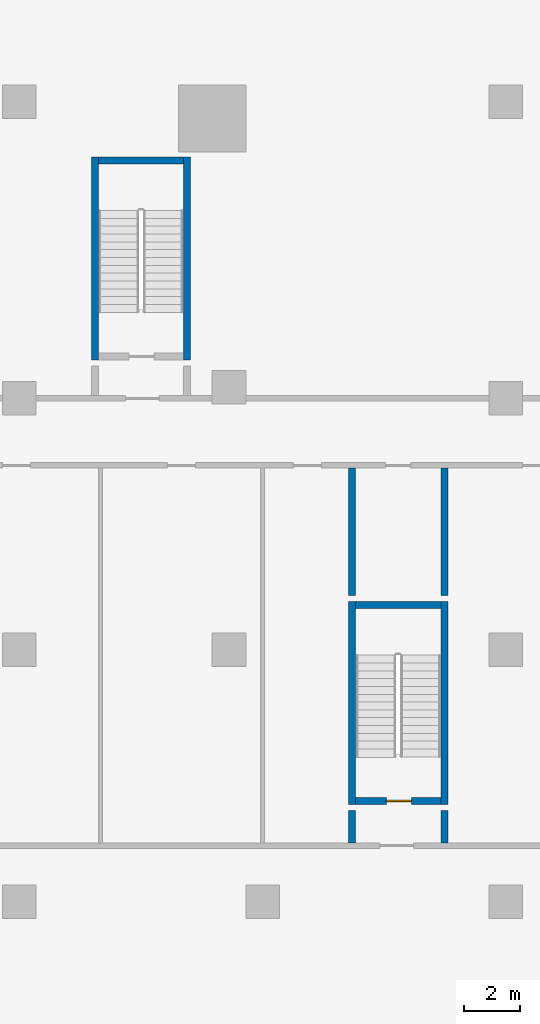
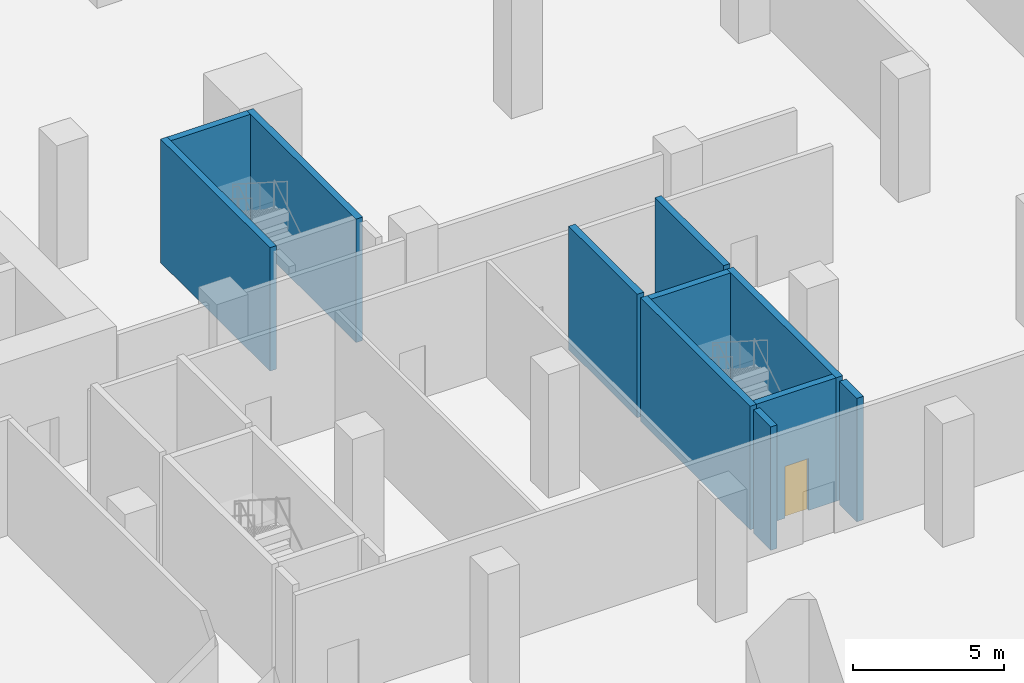
# One storey, part 5 of 8: 11 walls, 1 door, 1 opening.
"""IFC4 building model written with IfcOpenShell, lengths in metres."""

from ifc_helpers import new_model, si_unit, direction, frame, frame_2d, origin, place, context, subcontext, project, spatial, rectangle, extrude, material, layer, layer_set, type_object, element, fill, save


model = new_model("IFC4")

# Units and contexts
model_context = context("Model", 3, precision=1e-05, world=origin(), true_north=direction((0.0, 1.0)))
body_context = subcontext(model_context, "Body", "Model", "MODEL_VIEW")
ifc_project = project(units=[si_unit("LENGTHUNIT", "METRE"), si_unit("AREAUNIT", "SQUARE_METRE"), si_unit("VOLUMEUNIT", "CUBIC_METRE"), si_unit("PLANEANGLEUNIT", "RADIAN"), si_unit("MASSUNIT", "GRAM", prefix="KILO")], contexts=[model_context])

# Site, building, storey
site_placement = place(None, origin())
site = spatial("IfcSite", under=ifc_project, at=site_placement, CompositionType="ELEMENT")
building_placement = place(site_placement, origin())
building = spatial("IfcBuilding", under=site, at=building_placement, Name="Bicima Exchange Tower", CompositionType="ELEMENT")
storey_placement = place(building_placement, frame((0.0, 0.0, -10.0)))
storey = spatial("IfcBuildingStorey", under=building, at=storey_placement, Name="B2", CompositionType="ELEMENT", Elevation=-10.0)

# Walls
ifc_material_1 = material(Name="Concrete C50/60", Category="concrete")
ifc_layer_1 = layer(ifc_material_1, 0.25)
ifc_layer_set_1 = layer_set([ifc_layer_1], Name="Concrete C50/60")
wall_type_1 = type_object("IfcWallType", Name="RC core wall 250 C50/60", PredefinedType="SHEAR", material=ifc_layer_set_1)
wall_1_placement = place(storey_placement, frame((38.0, -28.89990234375, 0.0), z_axis=(0.0, 0.0, 1.0), x_axis=(0.0, 1.0, 0.0)))
element("IfcWall", 1, at=wall_1_placement, inside=storey, type_object=wall_type_1, Name="stair wall 42", PredefinedType="SHEAR", context=body_context, shape_type="SweptSolid", body=[
    extrude(rectangle(XDim=1.14990234375, YDim=0.25, at=frame_2d((0.574951171875, 0.0))), origin(), (0.0, 0.0, 1.0), 5.0),
])
wall_2_placement = place(storey_placement, frame((38.0, -20.050048828125, 0.0), z_axis=(0.0, 0.0, 1.0), x_axis=(0.0, 1.0, 0.0)))
element("IfcWall", 2, at=wall_2_placement, inside=storey, type_object=wall_type_1, Name="stair wall 42", PredefinedType="SHEAR", context=body_context, shape_type="SweptSolid", body=[
    extrude(rectangle(XDim=4.550048828125, YDim=0.25, at=frame_2d((2.27490234375, 0.0))), origin(), (0.0, 0.0, 1.0), 5.0),
])
wall_3_placement = place(storey_placement, frame((41.300048828125, -28.89990234375, 0.0), z_axis=(0.0, 0.0, 1.0), x_axis=(0.0, 1.0, 0.0)))
element("IfcWall", 3, at=wall_3_placement, inside=storey, type_object=wall_type_1, Name="stair wall 43", PredefinedType="SHEAR", context=body_context, shape_type="SweptSolid", body=[
    extrude(rectangle(XDim=1.14990234375, YDim=0.25, at=frame_2d((0.574951171875, 0.0))), origin(), (0.0, 0.0, 1.0), 5.0),
])
wall_4_placement = place(storey_placement, frame((41.300048828125, -20.050048828125, 0.0), z_axis=(0.0, 0.0, 1.0), x_axis=(0.0, 1.0, 0.0)))
element("IfcWall", 4, at=wall_4_placement, inside=storey, type_object=wall_type_1, Name="stair wall 43", PredefinedType="SHEAR", context=body_context, shape_type="SweptSolid", body=[
    extrude(rectangle(XDim=4.550048828125, YDim=0.25, at=frame_2d((2.27490234375, 0.0))), origin(), (0.0, 0.0, 1.0), 5.0),
])
ifc_layer_2 = layer(ifc_material_1, 0.25)
ifc_layer_set_2 = layer_set([ifc_layer_2], Name="Concrete C50/60")
wall_type_2 = type_object("IfcWallType", Name="RC stair enclosure wall 250 C50/60", PredefinedType="SHEAR", material=ifc_layer_set_2)
for number, where, z_axis, x_axis, name in (
    (5, (28.800048828125, -11.625, 0.0), (0.0, 0.0, 1.0), (0.0, 1.0, 0.0), "East end exit stair wall W"),
    (6, (32.10009765625, -11.625, 0.0), (0.0, 0.0, 1.0), (0.0, 1.0, 0.0), "East end exit stair wall E"),
):
    element("IfcWall", number, at=place(storey_placement, frame(where, z_axis=z_axis, x_axis=x_axis)), inside=storey, type_object=wall_type_2, Name=name, PredefinedType="SHEAR", context=body_context, shape_type="SweptSolid", body=[
        extrude(rectangle(XDim=7.25, YDim=0.25, at=frame_2d((3.625, 0.0))), origin(), (0.0, 0.0, 1.0), 5.0),
    ])
wall_5_placement = place(storey_placement, frame((28.925048828125, -4.5, 0.0), z_axis=(0.0, 0.0, 1.0), x_axis=(1.0, 0.0, 0.0)))
element("IfcWall", 7, at=wall_5_placement, inside=storey, type_object=wall_type_2, Name="East end exit stair wall N", PredefinedType="SHEAR", context=body_context, shape_type="SweptSolid", body=[
    extrude(rectangle(XDim=3.050048828125, YDim=0.25, at=frame_2d((1.52490234375, 0.0))), origin(), (0.0, 0.0, 1.0), 5.0),
])
for number, where, z_axis, x_axis, name in (
    (8, (38.0, -27.52490234375, 0.0), (0.0, 0.0, 1.0), (0.0, 1.0, 0.0), "Podium east stair wall W"),
    (9, (41.300048828125, -27.52490234375, 0.0), (0.0, 0.0, 1.0), (0.0, 1.0, 0.0), "Podium east stair wall E"),
):
    element("IfcWall", number, at=place(storey_placement, frame(where, z_axis=z_axis, x_axis=x_axis)), inside=storey, type_object=wall_type_2, Name=name, PredefinedType="SHEAR", context=body_context, shape_type="SweptSolid", body=[
        extrude(rectangle(XDim=7.25, YDim=0.25, at=frame_2d((3.625, 0.0))), origin(), (0.0, 0.0, 1.0), 5.0),
    ])

# Wall, opening, door
wall_6_placement = place(storey_placement, frame((38.125, -27.39990234375, 0.0), z_axis=(0.0, 0.0, 1.0), x_axis=(1.0, 0.0, 0.0)))
wall_6 = element("IfcWall", 10, at=wall_6_placement, inside=storey, type_object=wall_type_2, Name="Podium east stair wall S", PredefinedType="SHEAR", context=body_context, shape_type="SweptSolid", body=[
    extrude(rectangle(XDim=3.050048828125, YDim=0.25, at=frame_2d((1.52490234375, 0.0))), origin(), (0.0, 0.0, 1.0), 5.0),
])
opening_placement = place(wall_6_placement, frame((1.10009765625, 0.0, 0.0)))
opening = element("IfcOpeningElement", 11, at=opening_placement, cuts=wall_6, Name="Opening B2-008", PredefinedType="OPENING", context=body_context, shape_type="SweptSolid", body=[
    extrude(rectangle(XDim=0.89990234375, YDim=2.10009765625, at=frame_2d((0.449951171875, 1.050048828125))), frame((0.0, 0.136962890625, 0.0), z_axis=(0.0, -1.0, 0.0), x_axis=(1.0, 0.0, 0.0)), (0.0, 0.0, 1.0), 0.27392578125),
])
ifc_material_2 = material(Name="Steel fire door leaf", Category="steel")
door_type = type_object("IfcDoorType", Name="Door 900 swing FD60S", OperationType="SINGLE_SWING_LEFT", PredefinedType="DOOR", material=ifc_material_2)
door_placement = place(opening_placement, origin())
door = element("IfcDoor", 12, at=door_placement, inside=storey, type_object=door_type, Name="Door", OperationType="SINGLE_SWING_LEFT", OverallHeight=2.10009765625, OverallWidth=0.89990234375, PredefinedType="DOOR", context=body_context, shape_type="SweptSolid", body=[
    extrude(rectangle(XDim=0.89990234375, YDim=2.10009765625, at=frame_2d((0.449951171875, 1.050048828125))), frame((0.0, 0.02490234375, 0.0), z_axis=(0.0, -1.0, 0.0), x_axis=(1.0, 0.0, 0.0)), (0.0, 0.0, 1.0), 0.050048828125),
])
fill(opening, door)

# Wall
wall_7_placement = place(storey_placement, frame((38.125, -20.39990234375, 0.0), z_axis=(0.0, 0.0, 1.0), x_axis=(1.0, 0.0, 0.0)))
element("IfcWall", 13, at=wall_7_placement, inside=storey, type_object=wall_type_2, Name="Podium east stair wall N", PredefinedType="SHEAR", context=body_context, shape_type="SweptSolid", body=[
    extrude(rectangle(XDim=3.050048828125, YDim=0.25, at=frame_2d((1.52490234375, 0.0))), origin(), (0.0, 0.0, 1.0), 5.0),
])

save(model, "model.ifc")
